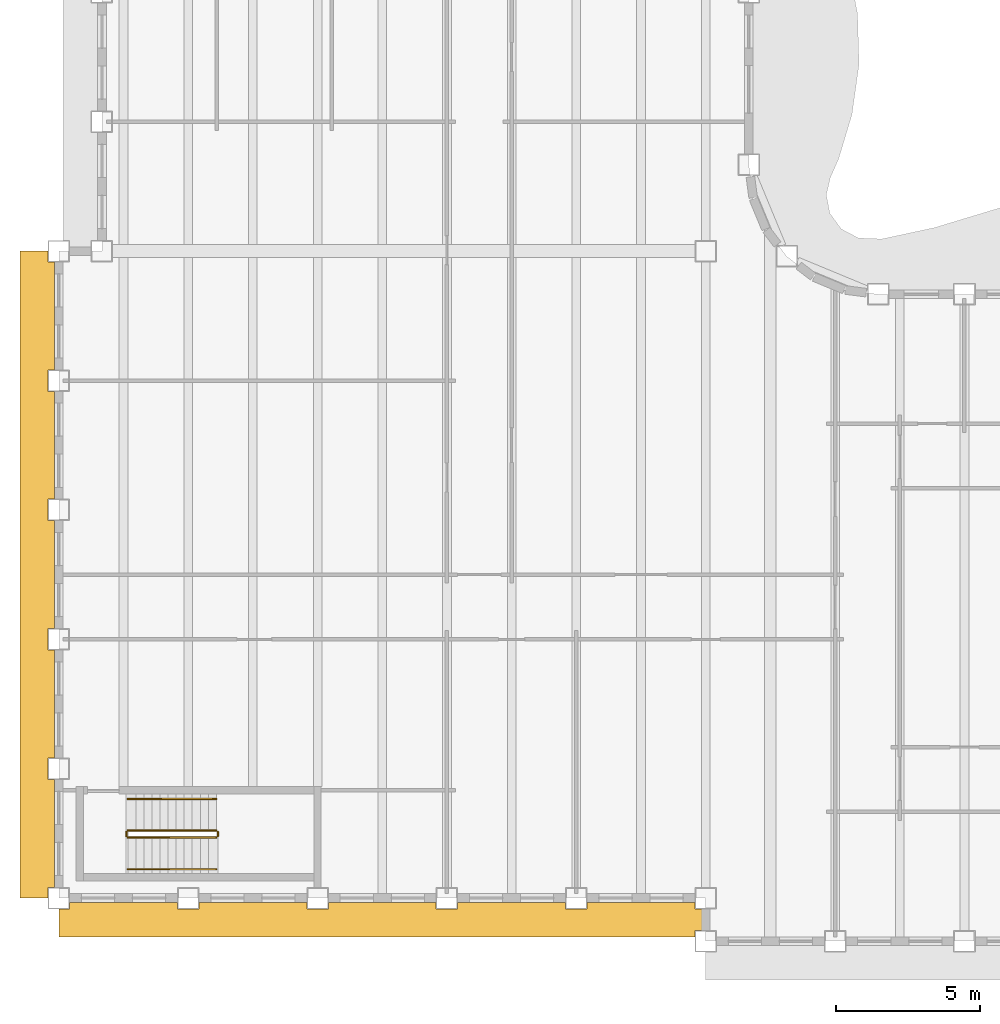
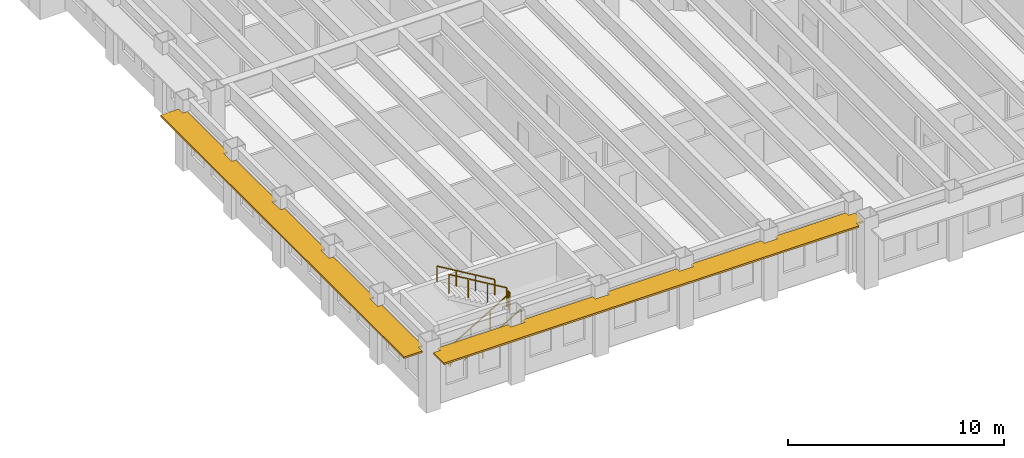
# One storey, part 11 of 16: 6 railings, 2 shading devices.
"""IFC4 building model written with IfcOpenShell, lengths in metres."""

import ifcopenshell
import ifcopenshell.guid

model = None  # the IFC model being written
_history = None  # IfcOwnerHistory: only IFC2X3 demands one
_inside = {}  # id of a spatial element -> (the spatial element, [elements in it])
_under = {}  # id of a project, library or spatial element -> (it, [spatial elements below it])
_declared = {}  # id of a project -> (the project, [libraries it declares])
_typed = {}  # id of a type object -> (the type object, [elements of that type])
_made_of = {}  # id of a material, layer set ... -> (it, [elements and type objects made of it])


def new_model(schema):
    """Start an empty IFC model of exactly this schema.

    Asked for "IFC4X3", IfcOpenShell would pick the latest addendum, in which some entities
    have other attributes; the version numbers below select the first issue.
    IFC2X3 requires an IfcOwnerHistory on every rooted entity: one is made here for all.
    """
    global model, _history
    if schema == "IFC4X3":
        model = ifcopenshell.file(schema_version=(4, 3, 0, 0))
    else:
        model = ifcopenshell.file(schema=schema)
    _inside.clear()
    _under.clear()
    _declared.clear()
    _typed.clear()
    _made_of.clear()
    _history = None
    if model.schema == "IFC2X3":
        org = make("IfcOrganization", Name="unknown")
        user = make(
            "IfcPersonAndOrganization",
            ThePerson=make("IfcPerson", FamilyName="unknown"),
            TheOrganization=org,
        )
        app = make(
            "IfcApplication",
            ApplicationDeveloper=org,
            Version="unknown",
            ApplicationFullName="unknown",
            ApplicationIdentifier="unknown",
        )
        _history = make(
            "IfcOwnerHistory",
            OwningUser=user,
            OwningApplication=app,
            ChangeAction="ADDED",
            CreationDate=0,
        )
    return model


def make(cls, **values):
    """One entity of the class cls with the attributes given. An attribute that is None is left unset."""
    return model.create_entity(
        cls, **{name: value for name, value in values.items() if value is not None}
    )


def rooted(cls, **values):
    """An entity with a GlobalId (a new one), such as an element, a storey or a relation."""
    return make(cls, GlobalId=ifcopenshell.guid.new(), OwnerHistory=_history, **values)


def si_unit(unit_type, name, prefix=None):
    """IfcSIUnit, for example si_unit("LENGTHUNIT", "METRE", prefix="MILLI")."""
    return make("IfcSIUnit", UnitType=unit_type, Prefix=prefix, Name=name)


def assignment(units):
    """IfcUnitAssignment: the units of a project."""
    return None if units is None else make("IfcUnitAssignment", Units=units)


def point(xyz):
    """IfcCartesianPoint."""
    return None if xyz is None else make("IfcCartesianPoint", Coordinates=xyz)


def direction(xyz):
    """IfcDirection."""
    return None if xyz is None else make("IfcDirection", DirectionRatios=xyz)


def frame(location, z_axis=None, x_axis=None):
    """IfcAxis2Placement3D, a coordinate frame: its origin and axes. An axis left out is left unset."""
    return make(
        "IfcAxis2Placement3D",
        Location=point(location),
        Axis=direction(z_axis),
        RefDirection=direction(x_axis),
    )


def frame_2d(location, x_axis=None):
    """IfcAxis2Placement2D, a coordinate frame in the plane: its origin and x axis."""
    return make(
        "IfcAxis2Placement2D", Location=point(location), RefDirection=direction(x_axis)
    )


def origin():
    """The frame at (0, 0, 0) with its axes left unset."""
    return frame((0.0, 0.0, 0.0))


def origin_2d():
    """The frame at (0, 0) in the plane with its x axis left unset."""
    return frame_2d((0.0, 0.0))


def place(relative_to, where):
    """IfcLocalPlacement: puts the frame where relative to a parent placement (None: the world)."""
    return make(
        "IfcLocalPlacement", PlacementRelTo=relative_to, RelativePlacement=where
    )


def context(
    kind, dimensions, precision=None, world=None, true_north=None, identifier=None
):
    """IfcGeometricRepresentationContext, for example the 3D "Model" context."""
    return make(
        "IfcGeometricRepresentationContext",
        ContextIdentifier=identifier,
        ContextType=kind,
        CoordinateSpaceDimension=dimensions,
        Precision=precision,
        WorldCoordinateSystem=world,
        TrueNorth=true_north,
    )


def subcontext(parent, identifier, kind, view, scale=None):
    """IfcGeometricRepresentationSubContext, for example "Body" below "Model"."""
    return make(
        "IfcGeometricRepresentationSubContext",
        ContextIdentifier=identifier,
        ContextType=kind,
        ParentContext=parent,
        TargetScale=scale,
        TargetView=view,
    )


def project(units=None, contexts=None):
    """IfcProject with its units and contexts."""
    return rooted(
        "IfcProject",
        Name="project",
        RepresentationContexts=contexts,
        UnitsInContext=assignment(units),
    )


def spatial(cls, under=None, at=None, **own):
    """A site, building, storey or space (cls), placed at a placement, below another one or the project."""
    s = rooted(cls, ObjectPlacement=at, **own)
    if under is not None:
        _under.setdefault(under.id(), (under, []))[1].append(s)
    return s


def polyline(points):
    """IfcPolyline through the points."""
    return make("IfcPolyline", Points=[point(p) for p in points])


def profile(cls, at=None, kind="AREA", **sizes):
    """A parametric profile (cls). Its sizes go by their IFC names, for example OverallWidth=200.0."""
    return make(cls, ProfileType=kind, Position=at, **sizes)


def rectangle(**sizes):
    """IfcRectangleProfileDef."""
    return profile("IfcRectangleProfileDef", **sizes)


def outline(outer, holes=None, kind="AREA"):
    """IfcArbitraryClosedProfileDef: a profile drawn as a closed curve; with holes, ...WithVoids."""
    if holes is None:
        return make("IfcArbitraryClosedProfileDef", ProfileType=kind, OuterCurve=outer)
    return make(
        "IfcArbitraryProfileDefWithVoids",
        ProfileType=kind,
        OuterCurve=outer,
        InnerCurves=holes,
    )


def extrude(swept, where, along, depth):
    """IfcExtrudedAreaSolid: the profile swept, set in the frame where, extruded along a direction by depth."""
    return make(
        "IfcExtrudedAreaSolid",
        SweptArea=swept,
        Position=where,
        ExtrudedDirection=direction(along),
        Depth=depth,
    )


def shape(context_of_items, identifier, shape_type, items):
    """IfcShapeRepresentation: the items that make up one representation, for example the "Body"."""
    return make(
        "IfcShapeRepresentation",
        ContextOfItems=context_of_items,
        RepresentationIdentifier=identifier,
        RepresentationType=shape_type,
        Items=items,
    )


def material(Name=None, Category=None):
    """IfcMaterial."""
    return make("IfcMaterial", Name=Name, Category=Category)


def layer(
    of_material, thickness, ventilated=None, Name=None, Category=None, Priority=None
):
    """IfcMaterialLayer: one layer of a wall or slab, of a material (None: an air gap)."""
    return make(
        "IfcMaterialLayer",
        Material=of_material,
        LayerThickness=thickness,
        IsVentilated=ventilated,
        Name=Name,
        Category=Category,
        Priority=Priority,
    )


def layer_set(layers, Name=None):
    """IfcMaterialLayerSet."""
    return make("IfcMaterialLayerSet", MaterialLayers=layers, LayerSetName=Name)


def made_of(thing, what):
    """Note that an element or type object is made of a material, layer set ...; save() writes the relation."""
    if what is not None:
        _made_of.setdefault(what.id(), (what, []))[1].append(thing)
    return thing


def type_object(cls, material=None, **own):
    """A type object (cls), such as IfcWallType, which elements share."""
    return made_of(rooted(cls, **own), material)


def element(
    cls,
    number,
    at=None,
    inside=None,
    cuts=None,
    type_object=None,
    material=None,
    context=None,
    identifier="Body",
    shape_type=None,
    held_by="IfcProductDefinitionShape",
    body=None,
    shapes=None,
    **own,
):
    """One element of the class cls, such as IfcWall. Its Tag is "e" and its number.

    at: its placement. inside: the storey or other place that contains it. cuts: it is an
    opening in that element (IfcRelVoidsElement). A single representation is given by context,
    identifier, shape_type and body (its items); several are given by shapes. held_by: the class
    of the entity that holds the representations. save() writes the other relations.
    """
    e = rooted(cls, Tag="e%d" % number, ObjectPlacement=at, **own)
    if body is not None:
        shapes = [shape(context, identifier, shape_type, body)]
    if shapes is not None:
        e.Representation = make(held_by, Representations=shapes)
    if inside is not None:
        _inside.setdefault(inside.id(), (inside, []))[1].append(e)
    if cuts is not None:
        rooted(
            "IfcRelVoidsElement", RelatingBuildingElement=cuts, RelatedOpeningElement=e
        )
    if type_object is not None:
        _typed.setdefault(type_object.id(), (type_object, []))[1].append(e)
    return made_of(e, material)


def aggregate(whole, parts):
    """IfcRelAggregates: a whole, such as a stair, and the parts it consists of."""
    return rooted("IfcRelAggregates", RelatingObject=whole, RelatedObjects=parts)


def save(model, path):
    """Write the relations noted so far, then the file.

    IfcRelAggregates (storeys below a building ...), IfcRelContainedInSpatialStructure (elements
    in a storey), IfcRelDefinesByType, IfcRelAssociatesMaterial and IfcRelDeclares: one each for
    every whole, place, type object, material and project.
    """
    for whole, parts in _under.values():
        aggregate(whole, parts)
    for where, things in _inside.values():
        rooted(
            "IfcRelContainedInSpatialStructure",
            RelatedElements=things,
            RelatingStructure=where,
        )
    for kind, things in _typed.values():
        rooted("IfcRelDefinesByType", RelatedObjects=things, RelatingType=kind)
    for what, things in _made_of.values():
        rooted("IfcRelAssociatesMaterial", RelatedObjects=things, RelatingMaterial=what)
    for by, libraries in _declared.values():
        rooted("IfcRelDeclares", RelatingContext=by, RelatedDefinitions=libraries)
    model.write(path)


model = new_model("IFC4")

# Units and contexts
model_context = context("Model", 3, precision=1e-05, world=origin(), true_north=direction((0.0, 1.0)))
body_context = subcontext(model_context, "Body", "Model", "MODEL_VIEW")
ifc_project = project(units=[si_unit("LENGTHUNIT", "METRE"), si_unit("AREAUNIT", "SQUARE_METRE"), si_unit("VOLUMEUNIT", "CUBIC_METRE"), si_unit("PLANEANGLEUNIT", "RADIAN"), si_unit("MASSUNIT", "GRAM", prefix="KILO")], contexts=[model_context])

# Site, building, storey
site_placement = place(None, origin())
site = spatial("IfcSite", under=ifc_project, at=site_placement, CompositionType="ELEMENT")
building_placement = place(site_placement, origin())
building = spatial("IfcBuilding", under=site, at=building_placement, Name="Sennacour Bend Tower", CompositionType="ELEMENT")
storey_placement = place(building_placement, frame((0.0, 0.0, 227.0)))
storey = spatial("IfcBuildingStorey", under=building, at=storey_placement, Name="L52", CompositionType="ELEMENT", Elevation=227.0)

# Railings
ifc_material_1 = material(Name="Stainless steel", Category="steel")
railing_type_1 = type_object("IfcRailingType", Name="RL-GUARD-1100", PredefinedType="GUARDRAIL", material=ifc_material_1)
railing_1_placement = place(storey_placement, frame((2.39990234375, 2.10009765625, 0.166748046875)))
element("IfcRailing", 1, at=railing_1_placement, inside=storey, type_object=railing_type_1, Name="L52 SK1 stair guard 1", PredefinedType="GUARDRAIL", context=body_context, shape_type="SweptSolid", body=[
    extrude(rectangle(XDim=0.048095703125, YDim=0.048095703125, at=origin_2d()), frame((0.0, 0.0, 1.076171875), z_axis=(0.859308565015, 0.0, 0.511457515432), x_axis=(0.0, 1.0, 0.0)), (0.0, 0.0, 1.0), 3.58447265625),
    extrude(rectangle(XDim=0.0419921875, YDim=0.0419921875, at=origin_2d()), origin(), (0.0, 0.0, 1.0), 1.052001953125),
    extrude(rectangle(XDim=0.0419921875, YDim=0.0419921875, at=origin_2d()), frame((1.026611328125, 0.0, 0.611083984375)), (0.0, 0.0, 1.0), 1.052001953125),
    extrude(rectangle(XDim=0.0419921875, YDim=0.0419921875, at=origin_2d()), frame((2.053466796875, 0.0, 1.22216796875)), (0.0, 0.0, 1.0), 1.052001953125),
    extrude(rectangle(XDim=0.0419921875, YDim=0.0419921875, at=origin_2d()), frame((3.080078125, 0.0, 1.833251953125)), (0.0, 0.0, 1.0), 1.052001953125),
])
railing_2_placement = place(storey_placement, frame((5.530029296875, 2.14990234375, 2.0)))
element("IfcRailing", 2, at=railing_2_placement, inside=storey, type_object=railing_type_1, Name="L52 SK1 stair guard 2", PredefinedType="GUARDRAIL", context=body_context, shape_type="SweptSolid", body=[
    extrude(rectangle(XDim=0.048095703125, YDim=0.048095703125, at=origin_2d()), frame((0.0, 0.0, 1.076171875), z_axis=(0.0, 1.0, 0.0), x_axis=(-1.0, 0.0, 0.0)), (0.0, 0.0, 1.0), 0.150146484375),
    extrude(rectangle(XDim=0.0419921875, YDim=0.0419921875, at=origin_2d()), origin(), (0.0, 0.0, 1.0), 1.052001953125),
    extrude(rectangle(XDim=0.0419921875, YDim=0.0419921875, at=origin_2d()), frame((0.0, 0.150146484375, 0.0)), (0.0, 0.0, 1.0), 1.052001953125),
])
railing_3_placement = place(storey_placement, frame((5.47998046875, 2.35009765625, 2.166748046875)))
element("IfcRailing", 3, at=railing_3_placement, inside=storey, type_object=railing_type_1, Name="L52 SK1 stair guard 3", PredefinedType="GUARDRAIL", context=body_context, shape_type="SweptSolid", body=[
    extrude(rectangle(XDim=0.048095703125, YDim=0.048095703125, at=origin_2d()), frame((0.0, 0.0, 1.076171875), z_axis=(-0.859308565015, 0.0, 0.511457515432), x_axis=(0.0, -1.0, 0.0)), (0.0, 0.0, 1.0), 3.58447265625),
    extrude(rectangle(XDim=0.0419921875, YDim=0.0419921875, at=origin_2d()), origin(), (0.0, 0.0, 1.0), 1.052001953125),
    extrude(rectangle(XDim=0.0419921875, YDim=0.0419921875, at=origin_2d()), frame((-1.026611328125, 0.0, 0.611083984375)), (0.0, 0.0, 1.0), 1.052001953125),
    extrude(rectangle(XDim=0.0419921875, YDim=0.0419921875, at=origin_2d()), frame((-2.053466796875, 0.0, 1.22216796875)), (0.0, 0.0, 1.0), 1.052001953125),
    extrude(rectangle(XDim=0.0419921875, YDim=0.0419921875, at=origin_2d()), frame((-3.080078125, 0.0, 1.833251953125)), (0.0, 0.0, 1.0), 1.052001953125),
])
railing_4_placement = place(storey_placement, frame((2.35009765625, 2.14990234375, 0.0)))
element("IfcRailing", 4, at=railing_4_placement, inside=storey, type_object=railing_type_1, Name="L52 SK1 stair guard 4", PredefinedType="GUARDRAIL", context=body_context, shape_type="SweptSolid", body=[
    extrude(rectangle(XDim=0.048095703125, YDim=0.048095703125, at=origin_2d()), frame((0.0, 0.0, 1.076171875), z_axis=(0.0, 1.0, 0.0), x_axis=(-1.0, 0.0, 0.0)), (0.0, 0.0, 1.0), 0.150146484375),
    extrude(rectangle(XDim=0.0419921875, YDim=0.0419921875, at=origin_2d()), origin(), (0.0, 0.0, 1.0), 1.052001953125),
    extrude(rectangle(XDim=0.0419921875, YDim=0.0419921875, at=origin_2d()), frame((0.0, 0.150146484375, 0.0)), (0.0, 0.0, 1.0), 1.052001953125),
])
railing_type_2 = type_object("IfcRailingType", Name="RL-HANDRAIL-900", PredefinedType="HANDRAIL", material=ifc_material_1)
railing_5_placement = place(storey_placement, frame((2.39990234375, 1.0, 0.166748046875)))
element("IfcRailing", 5, at=railing_5_placement, inside=storey, type_object=railing_type_2, Name="L52 SK1 stair handrail 1", PredefinedType="HANDRAIL", context=body_context, shape_type="SweptSolid", body=[
    extrude(rectangle(XDim=0.048095703125, YDim=0.048095703125, at=origin_2d()), frame((0.0, 0.0, 0.8759765625), z_axis=(0.859308565015, 0.0, 0.511457515432), x_axis=(0.0, 1.0, 0.0)), (0.0, 0.0, 1.0), 3.58447265625),
    extrude(rectangle(XDim=0.0419921875, YDim=0.0419921875, at=origin_2d()), origin(), (0.0, 0.0, 1.0), 0.851806640625),
    extrude(rectangle(XDim=0.0419921875, YDim=0.0419921875, at=origin_2d()), frame((1.026611328125, 0.0, 0.611083984375)), (0.0, 0.0, 1.0), 0.851806640625),
    extrude(rectangle(XDim=0.0419921875, YDim=0.0419921875, at=origin_2d()), frame((2.053466796875, 0.0, 1.22216796875)), (0.0, 0.0, 1.0), 0.851806640625),
    extrude(rectangle(XDim=0.0419921875, YDim=0.0419921875, at=origin_2d()), frame((3.080078125, 0.0, 1.833251953125)), (0.0, 0.0, 1.0), 0.851806640625),
])
railing_6_placement = place(storey_placement, frame((5.47998046875, 3.449951171875, 2.166748046875)))
element("IfcRailing", 6, at=railing_6_placement, inside=storey, type_object=railing_type_2, Name="L52 SK1 stair handrail 2", PredefinedType="HANDRAIL", context=body_context, shape_type="SweptSolid", body=[
    extrude(rectangle(XDim=0.048095703125, YDim=0.048095703125, at=origin_2d()), frame((0.0, 0.0, 0.8759765625), z_axis=(-0.859308565015, 0.0, 0.511457515432), x_axis=(0.0, -1.0, 0.0)), (0.0, 0.0, 1.0), 3.58447265625),
    extrude(rectangle(XDim=0.0419921875, YDim=0.0419921875, at=origin_2d()), origin(), (0.0, 0.0, 1.0), 0.851806640625),
    extrude(rectangle(XDim=0.0419921875, YDim=0.0419921875, at=origin_2d()), frame((-1.026611328125, 0.0, 0.611083984375)), (0.0, 0.0, 1.0), 0.851806640625),
    extrude(rectangle(XDim=0.0419921875, YDim=0.0419921875, at=origin_2d()), frame((-2.053466796875, 0.0, 1.22216796875)), (0.0, 0.0, 1.0), 0.851806640625),
    extrude(rectangle(XDim=0.0419921875, YDim=0.0419921875, at=origin_2d()), frame((-3.080078125, 0.0, 1.833251953125)), (0.0, 0.0, 1.0), 0.851806640625),
])

# Shading devices
ifc_material_2 = material(Name="Bronze anodised aluminium", Category="aluminium")
ifc_layer = layer(ifc_material_2, 0.10009765625, Name="Bronze anodised aluminium", Category="aluminium")
ifc_layer_set = layer_set([ifc_layer], Name="Bronze anodised aluminium")
shading_device_type = type_object("IfcShadingDeviceType", Name="SUNSHADE BAND STRAIGHT", PredefinedType="USERDEFINED", material=ifc_layer_set)
shading_device_1_placement = place(storey_placement, frame((0.0, 0.0, 3.056884765625)))
element("IfcShadingDevice", 7, at=shading_device_1_placement, inside=storey, type_object=shading_device_type, Name="Sunshade band L52 K outer face", ObjectType="SUNSHADE", PredefinedType="USERDEFINED", context=body_context, shape_type="SweptSolid", body=[
    extrude(outline(polyline([(-0.14990234375, 18.375), (-0.375, 18.375), (-0.375, 17.625), (-0.14990234375, 17.625), (-0.14990234375, 13.875), (-0.375, 13.875), (-0.375, 13.125), (-0.14990234375, 13.125), (-0.14990234375, 9.375), (-0.375, 9.375), (-0.375, 8.625), (-0.14990234375, 8.625), (-0.14990234375, 4.875), (-0.375, 4.875), (-0.375, 4.125), (-0.14990234375, 4.125), (-0.14990234375, 0.375), (-0.375, 0.375), (-0.375, 0.0), (-1.35009765625, 0.0), (-1.35009765625, 22.5), (-0.375, 22.5), (-0.375, 22.125), (-0.14990234375, 22.125), (-0.14990234375, 18.375)])), origin(), (0.0, 0.0, 1.0), 0.10009765625),
])
shading_device_2_placement = place(storey_placement, frame((0.0, 0.0, 3.056884765625)))
element("IfcShadingDevice", 8, at=shading_device_2_placement, inside=storey, type_object=shading_device_type, Name="Sunshade band L52 K outer face", ObjectType="SUNSHADE", PredefinedType="USERDEFINED", context=body_context, shape_type="SweptSolid", body=[
    extrude(outline(polyline([(4.125, -0.14990234375), (4.125, -0.375), (4.875, -0.375), (4.875, -0.14990234375), (8.625, -0.14990234375), (8.625, -0.375), (9.375, -0.375), (9.375, -0.14990234375), (13.125, -0.14990234375), (13.125, -0.375), (13.875, -0.375), (13.875, -0.14990234375), (17.625, -0.14990234375), (17.625, -0.375), (18.375, -0.375), (18.375, -0.14990234375), (22.125, -0.14990234375), (22.125, -0.375), (22.5, -0.375), (22.5, -1.125), (22.125, -1.125), (22.125, -1.35009765625), (0.0, -1.35009765625), (0.0, -0.375), (0.375, -0.375), (0.375, -0.14990234375), (4.125, -0.14990234375)])), origin(), (0.0, 0.0, 1.0), 0.10009765625),
])

save(model, "model.ifc")
